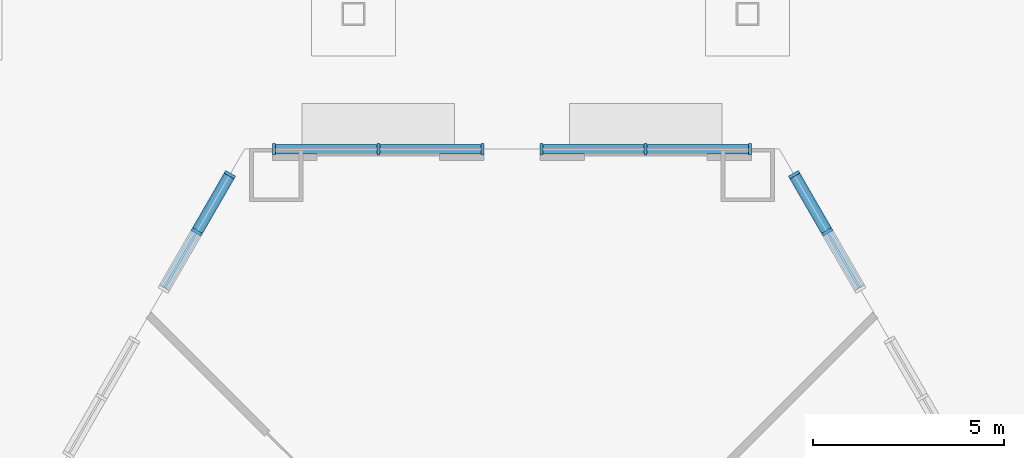
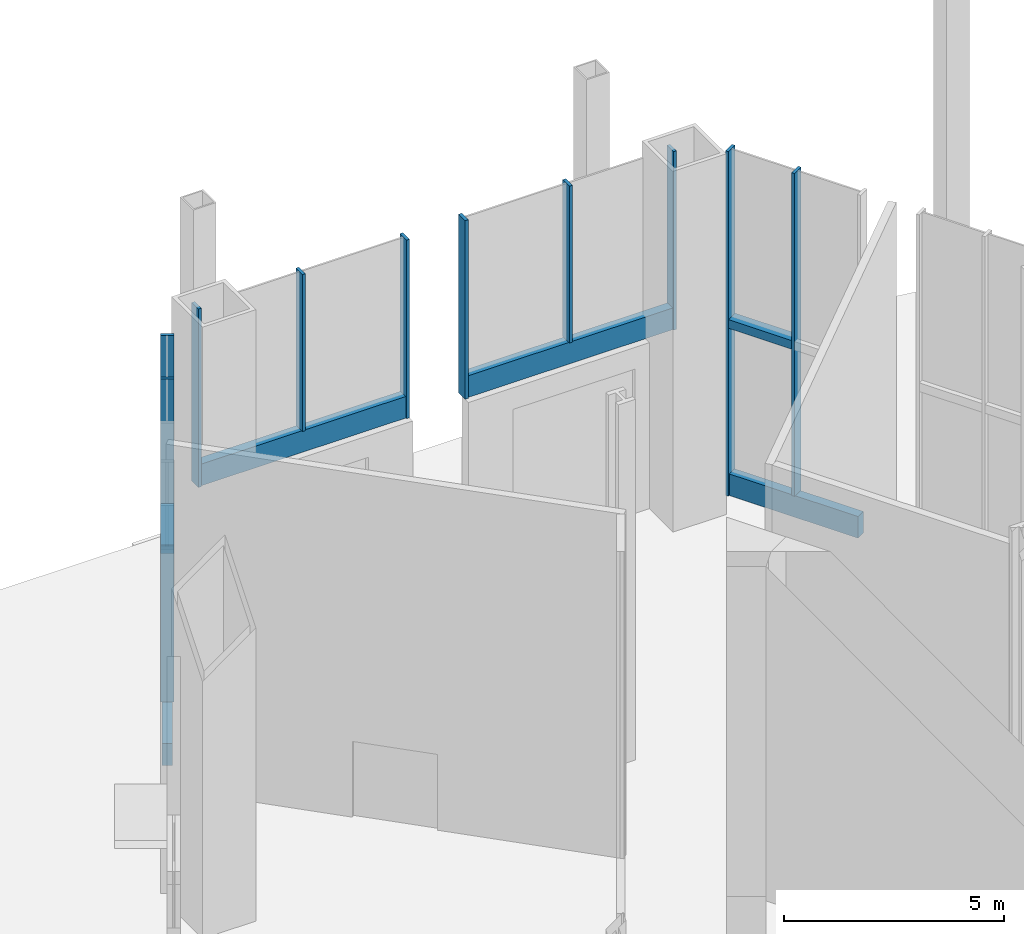
# One storey, part 6 of 18: 16 members, 4 elements without a shape of their own.
"""IFC4 building model written with IfcOpenShell, lengths in metres."""

from ifc_helpers import new_model, si_unit, direction, frame, origin, origin_2d, place, context, subcontext, project, spatial, rectangle, extrude, material, layer, layer_set, material_profile, profile_set, type_object, element, aggregate, save


model = new_model("IFC4")

# Units and contexts
model_context = context("Model", 3, precision=1e-05, world=origin(), true_north=direction((0.0, 1.0)))
body_context = subcontext(model_context, "Body", "Model", "MODEL_VIEW")
ifc_project = project(units=[si_unit("LENGTHUNIT", "METRE"), si_unit("AREAUNIT", "SQUARE_METRE"), si_unit("VOLUMEUNIT", "CUBIC_METRE"), si_unit("PLANEANGLEUNIT", "RADIAN"), si_unit("MASSUNIT", "GRAM", prefix="KILO")], contexts=[model_context])

# Site, building, storey
site_placement = place(None, origin())
site = spatial("IfcSite", under=ifc_project, at=site_placement, CompositionType="ELEMENT")
building_placement = place(site_placement, origin())
building = spatial("IfcBuilding", under=site, at=building_placement, Name="Cormorant Prow Tower", CompositionType="ELEMENT")
storey_placement = place(building_placement, origin())
storey = spatial("IfcBuildingStorey", under=building, at=storey_placement, Name="L00", CompositionType="ELEMENT", Elevation=0.0)

# Curtain wall, member
ifc_material_1 = material(Name="Aluminium 6063-T6", Category="aluminium")
ifc_layer = layer(ifc_material_1, 0.300048828125)
ifc_layer_set = layer_set([ifc_layer], Name="Aluminium 6063-T6")
curtain_wall_type = type_object("IfcCurtainWallType", Name="Concourse unitised curtain wall 300", PredefinedType="NOTDEFINED", material=ifc_layer_set)
curtain_wall_1_placement = place(storey_placement, origin())
curtain_wall_1 = element("IfcCurtainWall", 1, at=curtain_wall_1_placement, inside=storey, type_object=curtain_wall_type, Name="Concourse curtain wall ENE09", PredefinedType="NOTDEFINED")
ifc_material_2 = material(Name="Aluminium 6063-T6", Category="aluminium")
ifc_material_profile_1 = material_profile(ifc_material_2, rectangle(XDim=0.300048828125, YDim=0.239990234375, at=origin_2d()), Name="Concourse intermediate transom 300x240")
ifc_profile_set_1 = profile_set([ifc_material_profile_1], Name="Aluminium 6063-T6")
member_type_1 = type_object("IfcMemberType", Name="Concourse intermediate transom 300x240", PredefinedType="USERDEFINED", material=ifc_profile_set_1)
member_1_placement = place(storey_placement, frame((8.22998046875, 30.778564453125, 4.77490234375), z_axis=(-0.499974350878, 0.866040211805, 0.0), x_axis=(-0.866040211805, -0.499974350878, 0.0)))
member_1 = element("IfcMember", 2, at=member_1_placement, type_object=member_type_1, Name="Concourse intermediate transom ENE09", ObjectType="TRANSOM", PredefinedType="USERDEFINED", context=body_context, shape_type="SweptSolid", body=[
    extrude(rectangle(XDim=0.300048828125, YDim=0.239990234375, at=origin_2d()), origin(), (0.0, 0.0, 1.0), 1.64990234375),
])

curtain_wall_2_placement = place(storey_placement, origin())
curtain_wall_2 = element("IfcCurtainWall", 3, at=curtain_wall_2_placement, inside=storey, type_object=curtain_wall_type, Name="Concourse curtain wall WNW00", PredefinedType="NOTDEFINED")
member_2_placement = place(storey_placement, frame((-7.405029296875, 32.20751953125, 4.77490234375), z_axis=(-0.499974350878, -0.866040211805, 0.0), x_axis=(0.866040211805, -0.499974350878, 0.0)))
member_2 = element("IfcMember", 4, at=member_2_placement, type_object=member_type_1, Name="Concourse intermediate transom WNW00", ObjectType="TRANSOM", PredefinedType="USERDEFINED", context=body_context, shape_type="SweptSolid", body=[
    extrude(rectangle(XDim=0.300048828125, YDim=0.239990234375, at=origin_2d()), origin(), (0.0, 0.0, 1.0), 1.64990234375),
])

# Member
ifc_material_3 = material(Name="Aluminium 6063-T6", Category="aluminium")
ifc_material_profile_2 = material_profile(ifc_material_3, rectangle(XDim=0.300048828125, YDim=0.080078125, at=origin_2d()), Name="Concourse mullion 80x300")
ifc_profile_set_2 = profile_set([ifc_material_profile_2], Name="Aluminium 6063-T6")
member_type_2 = type_object("IfcMemberType", Name="Concourse mullion 80x300", PredefinedType="MULLION", material=ifc_profile_set_2)
member_3_placement = place(storey_placement, frame((8.25, 30.743896484375, 0.60009765625), z_axis=(0.0, 0.0, 1.0), x_axis=(-0.866025402842, -0.500000001632, 0.0)))
member_3 = element("IfcMember", 5, at=member_3_placement, type_object=member_type_2, Name="Concourse mullion ENE09", PredefinedType="MULLION", context=body_context, shape_type="SweptSolid", body=[
    extrude(rectangle(XDim=0.300048828125, YDim=0.080078125, at=origin_2d()), origin(), (0.0, 0.0, 1.0), 8.949951171875),
])

member_4_placement = place(storey_placement, frame((7.385009765625, 32.2421875, 0.0), z_axis=(0.0, 0.0, 1.0), x_axis=(-0.866025402842, -0.500000001632, 0.0)))
member_4 = element("IfcMember", 6, at=member_4_placement, type_object=member_type_2, Name="Concourse mullion ENE09", PredefinedType="MULLION", context=body_context, shape_type="SweptSolid", body=[
    extrude(rectangle(XDim=0.300048828125, YDim=0.080078125, at=origin_2d()), origin(), (0.0, 0.0, 1.0), 9.550048828125),
])

# Curtain wall, members
curtain_wall_3_placement = place(storey_placement, origin())
curtain_wall_3 = element("IfcCurtainWall", 7, at=curtain_wall_3_placement, inside=storey, type_object=curtain_wall_type, Name="Concourse curtain wall N00", PredefinedType="NOTDEFINED")
member_5_placement = place(storey_placement, frame((6.22998046875, 32.908935546875, 4.60009765625), z_axis=(0.0, 0.0, 1.0), x_axis=(0.0, -1.0, 0.0)))
member_5 = element("IfcMember", 8, at=member_5_placement, type_object=member_type_2, Name="Concourse mullion N00", PredefinedType="MULLION", context=body_context, shape_type="SweptSolid", body=[
    extrude(rectangle(XDim=0.300048828125, YDim=0.080078125, at=origin_2d()), origin(), (0.0, 0.0, 1.0), 4.949951171875),
])
member_6_placement = place(storey_placement, frame((3.5, 32.908935546875, 5.199951171875), z_axis=(0.0, 0.0, 1.0), x_axis=(0.0, -1.0, 0.0)))
member_6 = element("IfcMember", 9, at=member_6_placement, type_object=member_type_2, Name="Concourse mullion N00", PredefinedType="MULLION", context=body_context, shape_type="SweptSolid", body=[
    extrude(rectangle(XDim=0.300048828125, YDim=0.080078125, at=origin_2d()), origin(), (0.0, 0.0, 1.0), 4.35009765625),
])
member_7_placement = place(storey_placement, frame((0.77001953125, 32.908935546875, 4.60009765625), z_axis=(0.0, 0.0, 1.0), x_axis=(0.0, -1.0, 0.0)))
member_7 = element("IfcMember", 10, at=member_7_placement, type_object=member_type_2, Name="Concourse mullion N00", PredefinedType="MULLION", context=body_context, shape_type="SweptSolid", body=[
    extrude(rectangle(XDim=0.300048828125, YDim=0.080078125, at=origin_2d()), origin(), (0.0, 0.0, 1.0), 4.949951171875),
])

curtain_wall_4_placement = place(storey_placement, origin())
curtain_wall_4 = element("IfcCurtainWall", 11, at=curtain_wall_4_placement, inside=storey, type_object=curtain_wall_type, Name="Concourse curtain wall N01", PredefinedType="NOTDEFINED")
member_8_placement = place(storey_placement, frame((-0.77001953125, 32.908935546875, 4.60009765625), z_axis=(0.0, 0.0, 1.0), x_axis=(0.0, -1.0, 0.0)))
member_8 = element("IfcMember", 12, at=member_8_placement, type_object=member_type_2, Name="Concourse mullion N01", PredefinedType="MULLION", context=body_context, shape_type="SweptSolid", body=[
    extrude(rectangle(XDim=0.300048828125, YDim=0.080078125, at=origin_2d()), origin(), (0.0, 0.0, 1.0), 4.949951171875),
])
member_9_placement = place(storey_placement, frame((-3.5, 32.908935546875, 5.199951171875), z_axis=(0.0, 0.0, 1.0), x_axis=(0.0, -1.0, 0.0)))
member_9 = element("IfcMember", 13, at=member_9_placement, type_object=member_type_2, Name="Concourse mullion N01", PredefinedType="MULLION", context=body_context, shape_type="SweptSolid", body=[
    extrude(rectangle(XDim=0.300048828125, YDim=0.080078125, at=origin_2d()), origin(), (0.0, 0.0, 1.0), 4.35009765625),
])
member_10_placement = place(storey_placement, frame((-6.22998046875, 32.908935546875, 4.60009765625), z_axis=(0.0, 0.0, 1.0), x_axis=(0.0, -1.0, 0.0)))
member_10 = element("IfcMember", 14, at=member_10_placement, type_object=member_type_2, Name="Concourse mullion N01", PredefinedType="MULLION", context=body_context, shape_type="SweptSolid", body=[
    extrude(rectangle(XDim=0.300048828125, YDim=0.080078125, at=origin_2d()), origin(), (0.0, 0.0, 1.0), 4.949951171875),
])

# Member
member_11_placement = place(storey_placement, frame((-7.385009765625, 32.2421875, 0.0), z_axis=(0.0, 0.0, 1.0), x_axis=(0.866025402842, -0.500000001632, 0.0)))
member_11 = element("IfcMember", 15, at=member_11_placement, type_object=member_type_2, Name="Concourse mullion WNW00", PredefinedType="MULLION", context=body_context, shape_type="SweptSolid", body=[
    extrude(rectangle(XDim=0.300048828125, YDim=0.080078125, at=origin_2d()), origin(), (0.0, 0.0, 1.0), 9.550048828125),
])

member_12_placement = place(storey_placement, frame((-8.25, 30.743896484375, 0.60009765625), z_axis=(0.0, 0.0, 1.0), x_axis=(0.866025402842, -0.500000001632, 0.0)))
member_12 = element("IfcMember", 16, at=member_12_placement, type_object=member_type_2, Name="Concourse mullion WNW00", PredefinedType="MULLION", context=body_context, shape_type="SweptSolid", body=[
    extrude(rectangle(XDim=0.300048828125, YDim=0.080078125, at=origin_2d()), origin(), (0.0, 0.0, 1.0), 8.949951171875),
])

ifc_material_4 = material(Name="Terracotta", Category="masonry")
ifc_material_profile_3 = material_profile(ifc_material_4, rectangle(XDim=0.239990234375, YDim=0.60009765625, at=origin_2d()), Name="Concourse terracotta spandrel rail 240x600")
ifc_profile_set_3 = profile_set([ifc_material_profile_3], Name="Terracotta")
member_type_3 = type_object("IfcMemberType", Name="Concourse terracotta spandrel rail 240x600", PredefinedType="USERDEFINED", material=ifc_profile_set_3)
member_13_placement = place(storey_placement, frame((9.094970703125, 29.2802734375, 0.300048828125), z_axis=(-0.499976720371, 0.866038843867, 0.0), x_axis=(-0.866038843867, -0.499976720371, 0.0)))
member_13 = element("IfcMember", 17, at=member_13_placement, type_object=member_type_3, Name="Concourse spandrel rail ENE09", ObjectType="TRANSOM", PredefinedType="USERDEFINED", context=body_context, shape_type="SweptSolid", body=[
    extrude(rectangle(XDim=0.239990234375, YDim=0.60009765625, at=origin_2d()), origin(), (0.0, 0.0, 1.0), 3.380126953125),
])

aggregate(curtain_wall_1, [member_3, member_4, member_13, member_1])

member_14_placement = place(storey_placement, frame((6.18994140625, 32.908935546875, 4.89990234375), z_axis=(-1.0, 0.0, 0.0), x_axis=(0.0, -1.0, 0.0)))
member_14 = element("IfcMember", 18, at=member_14_placement, type_object=member_type_3, Name="Concourse spandrel rail N00", ObjectType="TRANSOM", PredefinedType="USERDEFINED", context=body_context, shape_type="SweptSolid", body=[
    extrude(rectangle(XDim=0.239990234375, YDim=0.60009765625, at=origin_2d()), origin(), (0.0, 0.0, 1.0), 5.3798828125),
])

aggregate(curtain_wall_3, [member_5, member_6, member_7, member_14])

member_15_placement = place(storey_placement, frame((-0.81005859375, 32.908935546875, 4.89990234375), z_axis=(-1.0, 0.0, 0.0), x_axis=(0.0, -1.0, 0.0)))
member_15 = element("IfcMember", 19, at=member_15_placement, type_object=member_type_3, Name="Concourse spandrel rail N01", ObjectType="TRANSOM", PredefinedType="USERDEFINED", context=body_context, shape_type="SweptSolid", body=[
    extrude(rectangle(XDim=0.239990234375, YDim=0.60009765625, at=origin_2d()), origin(), (0.0, 0.0, 1.0), 5.3798828125),
])

aggregate(curtain_wall_4, [member_8, member_9, member_10, member_15])

member_16_placement = place(storey_placement, frame((-7.405029296875, 32.20751953125, 0.300048828125), z_axis=(-0.499976720371, -0.866038843867, 0.0), x_axis=(0.866038843867, -0.499976720371, 0.0)))
member_16 = element("IfcMember", 20, at=member_16_placement, type_object=member_type_3, Name="Concourse spandrel rail WNW00", ObjectType="TRANSOM", PredefinedType="USERDEFINED", context=body_context, shape_type="SweptSolid", body=[
    extrude(rectangle(XDim=0.239990234375, YDim=0.60009765625, at=origin_2d()), origin(), (0.0, 0.0, 1.0), 3.380126953125),
])

aggregate(curtain_wall_2, [member_11, member_12, member_16, member_2])

save(model, "model.ifc")
